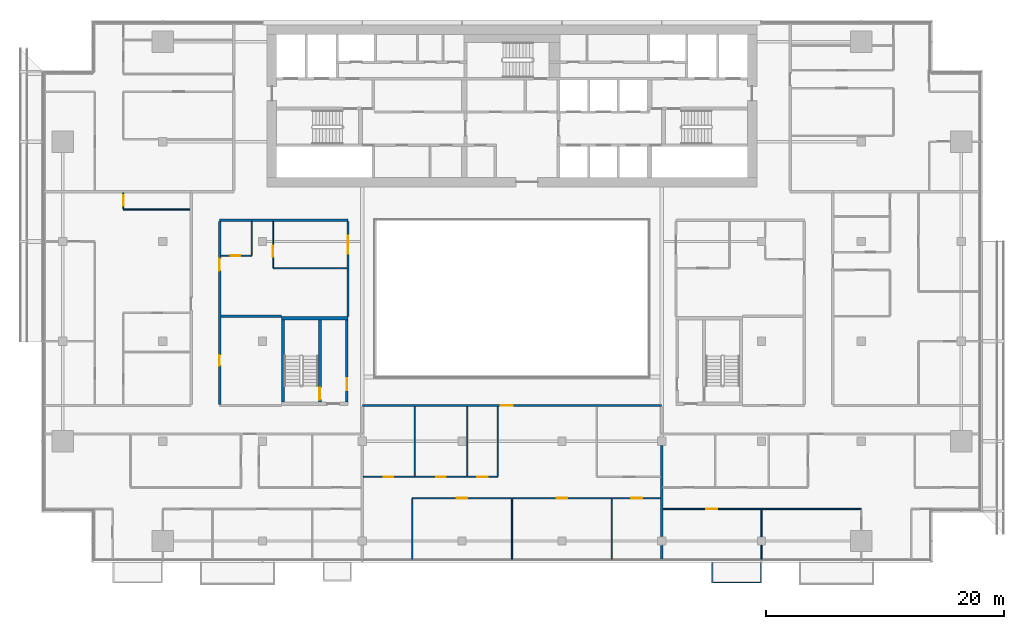
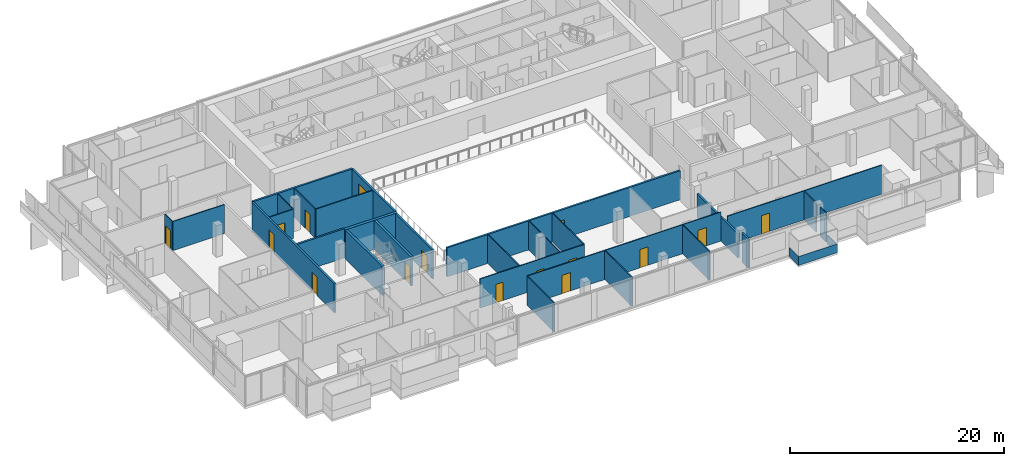
# One storey, part 19 of 29: 29 walls, 15 doors, 1 window, 16 openings.
"""IFC4 building model written with IfcOpenShell, lengths in metres."""

from ifc_helpers import new_model, si_unit, direction, frame, frame_2d, origin, place, context, subcontext, project, spatial, polyline, rectangle, outline, extrude, material, layer, layer_set, type_object, element, fill, save


model = new_model("IFC4")

# Units and contexts
model_context = context("Model", 3, precision=1e-05, world=origin(), true_north=direction((0.0, 1.0)))
body_context = subcontext(model_context, "Body", "Model", "MODEL_VIEW")
ifc_project = project(units=[si_unit("LENGTHUNIT", "METRE"), si_unit("AREAUNIT", "SQUARE_METRE"), si_unit("VOLUMEUNIT", "CUBIC_METRE"), si_unit("PLANEANGLEUNIT", "RADIAN"), si_unit("MASSUNIT", "GRAM", prefix="KILO")], contexts=[model_context])

# Site, building, storey
site_placement = place(None, origin())
site = spatial("IfcSite", under=ifc_project, at=site_placement, CompositionType="ELEMENT")
building_placement = place(site_placement, origin())
building = spatial("IfcBuilding", under=site, at=building_placement, Name="Saffron Gate Tower", CompositionType="ELEMENT")
storey_placement = place(building_placement, frame((0.0, 0.0, 161.85009765625)))
storey = spatial("IfcBuildingStorey", under=building, at=storey_placement, Name="L39", CompositionType="ELEMENT", Elevation=161.85009765625)

# Wall, opening, door
ifc_material_1 = material(Name="Gypsum board partition on steel studs", Category="steel")
ifc_layer_1 = layer(ifc_material_1, 0.199951171875)
ifc_layer_set_1 = layer_set([ifc_layer_1], Name="CW10 Core partition 200")
wall_type_1 = type_object("IfcWallType", Name="CW10 Core partition 200", PredefinedType="PARTITIONING", material=ifc_layer_set_1)
wall_1_placement = place(storey_placement, frame((73.699951171875, 43.5, 0.0), z_axis=(0.0, 0.0, 1.0), x_axis=(0.0, 1.0, 0.0)))
wall_1 = element("IfcWall", 1, at=wall_1_placement, inside=storey, type_object=wall_type_1, Name="Wall CW10-L39-D-4", PredefinedType="PARTITIONING", context=body_context, shape_type="SweptSolid", body=[
    extrude(rectangle(XDim=6.89990234375, YDim=0.199951171875, at=frame_2d((3.449951171875, 0.0))), origin(), (0.0, 0.0, 1.0), 3.31982421875),
])
opening_1_placement = place(wall_1_placement, frame((1.0, 0.0, 0.0)))
opening_1 = element("IfcOpeningElement", 2, at=opening_1_placement, cuts=wall_1, Name="Opening CR-19", PredefinedType="OPENING", context=body_context, shape_type="SweptSolid", body=[
    extrude(rectangle(XDim=1.0, YDim=2.10009765625, at=frame_2d((0.5, 1.050048828125))), frame((0.0, 0.10986328125, 0.0), z_axis=(0.0, -1.0, 0.0), x_axis=(1.0, 0.0, 0.0)), (0.0, 0.0, 1.0), 0.219970703125),
])
ifc_material_2 = material(Name="Steel fire door set", Category="steel")
door_type_1 = type_object("IfcDoorType", Name="CD4 Lobby door 1000x2100 EI 120", OperationType="NOTDEFINED", PredefinedType="DOOR", material=ifc_material_2)
door_1_placement = place(opening_1_placement, origin())
door_1 = element("IfcDoor", 3, at=door_1_placement, inside=storey, type_object=door_type_1, Name="DOOR CR-19", OperationType="SINGLE_SWING_RIGHT", OverallHeight=2.10009765625, OverallWidth=1.0, PredefinedType="DOOR", context=body_context, shape_type="SweptSolid", body=[
    extrude(rectangle(XDim=1.0, YDim=2.10009765625, at=frame_2d((0.5, 1.050048828125))), frame((0.0, 0.02490234375, 0.0), z_axis=(0.0, -1.0, 0.0), x_axis=(1.0, 0.0, 0.0)), (0.0, 0.0, 1.0), 0.050048828125),
])
fill(opening_1, door_1)

# Wall
ifc_material_3 = material(Name="Concrete C60", Category="concrete")
ifc_layer_2 = layer(ifc_material_3, 0.25)
ifc_layer_set_2 = layer_set([ifc_layer_2], Name="CW14 RC core wall 250 C60")
wall_type_2 = type_object("IfcWallType", Name="CW14 RC core wall 250 C60", PredefinedType="SOLIDWALL", material=ifc_layer_set_2)
wall_2_placement = place(storey_placement, frame((68.324951171875, 43.5, 0.0), z_axis=(0.0, 0.0, 1.0), x_axis=(0.0, 1.0, 0.0)))
element("IfcWall", 4, at=wall_2_placement, inside=storey, type_object=wall_type_2, Name="Wall CW14-L39-D-2", PredefinedType="SOLIDWALL", context=body_context, shape_type="SweptSolid", body=[
    extrude(rectangle(XDim=6.89990234375, YDim=0.25, at=frame_2d((3.449951171875, 0.0))), origin(), (0.0, 0.0, 1.0), 3.31982421875),
])

# Wall, opening, door
wall_3_placement = place(storey_placement, frame((71.425048828125, 43.5, 0.0), z_axis=(0.0, 0.0, 1.0), x_axis=(0.0, 1.0, 0.0)))
wall_3 = element("IfcWall", 5, at=wall_3_placement, inside=storey, type_object=wall_type_2, Name="Wall CW14-L39-D-3", PredefinedType="SOLIDWALL", context=body_context, shape_type="SweptSolid", body=[
    extrude(rectangle(XDim=6.89990234375, YDim=0.25, at=frame_2d((3.449951171875, 0.0))), origin(), (0.0, 0.0, 1.0), 3.31982421875),
])
opening_2_placement = place(wall_3_placement, frame((0.199951171875, 0.0, 0.0)))
opening_2 = element("IfcOpeningElement", 6, at=opening_2_placement, cuts=wall_3, Name="Opening CR-20", PredefinedType="OPENING", context=body_context, shape_type="SweptSolid", body=[
    extrude(rectangle(XDim=1.0, YDim=2.10009765625, at=frame_2d((0.5, 1.050048828125))), frame((0.0, 0.135009765625, 0.0), z_axis=(0.0, -1.0, 0.0), x_axis=(1.0, 0.0, 0.0)), (0.0, 0.0, 1.0), 0.27001953125),
])
door_type_2 = type_object("IfcDoorType", Name="CD5 Stair door 1000x2100 EI 120", OperationType="NOTDEFINED", PredefinedType="DOOR", material=ifc_material_2)
door_2_placement = place(opening_2_placement, origin())
door_2 = element("IfcDoor", 7, at=door_2_placement, inside=storey, type_object=door_type_2, Name="DOOR CR-20", OperationType="SINGLE_SWING_LEFT", OverallHeight=2.10009765625, OverallWidth=1.0, PredefinedType="DOOR", context=body_context, shape_type="SweptSolid", body=[
    extrude(rectangle(XDim=1.0, YDim=2.10009765625, at=frame_2d((0.5, 1.050048828125))), frame((0.0, 0.02490234375, 0.0), z_axis=(0.0, -1.0, 0.0), x_axis=(1.0, 0.0, 0.0)), (0.0, 0.0, 1.0), 0.050048828125),
])
fill(opening_2, door_2)

# Wall
ifc_layer_3 = layer(ifc_material_3, 0.300048828125)
ifc_layer_set_3 = layer_set([ifc_layer_3], Name="CW17 RC core wall 300 C60")
wall_type_3 = type_object("IfcWallType", Name="CW17 RC core wall 300 C60", PredefinedType="SOLIDWALL", material=ifc_layer_set_3)
wall_4_placement = place(storey_placement, frame((68.199951171875, 50.550048828125, 0.0), z_axis=(0.0, 0.0, 1.0), x_axis=(1.0, 0.0, 0.0)))
element("IfcWall", 8, at=wall_4_placement, inside=storey, type_object=wall_type_3, Name="Wall CW17-L39-D-5", PredefinedType="SOLIDWALL", context=body_context, shape_type="SweptSolid", body=[
    extrude(rectangle(XDim=5.60009765625, YDim=0.300048828125, at=frame_2d((2.800048828125, 0.0))), origin(), (0.0, 0.0, 1.0), 3.31982421875),
])

# Wall, opening, door
ifc_material_4 = material(Name="Plasterboard on steel studs", Category="steel")
ifc_layer_4 = layer(ifc_material_4, 0.10009765625)
ifc_layer_set_4 = layer_set([ifc_layer_4], Name="PW1 Partition 100")
wall_type_4 = type_object("IfcWallType", Name="PW1 Partition 100", PredefinedType="PARTITIONING", material=ifc_layer_set_4)
wall_5_placement = place(storey_placement, frame((117.0, 34.5, 0.0), z_axis=(0.0, 0.0, 1.0), x_axis=(-1.0, 0.0, 0.0)))
wall_5 = element("IfcWall", 9, at=wall_5_placement, inside=storey, type_object=wall_type_4, Name="Partition C2-3", PredefinedType="PARTITIONING", context=body_context, shape_type="SweptSolid", body=[
    extrude(rectangle(XDim=16.699951171875, YDim=0.10009765625, at=frame_2d((8.35009765625, 0.0))), origin(), (0.0, 0.0, 1.0), 3.31982421875),
])
opening_3_placement = place(wall_5_placement, frame((12.14990234375, 0.0, 0.0)))
opening_3 = element("IfcOpeningElement", 10, at=opening_3_placement, cuts=wall_5, Name="Opening C2-20", PredefinedType="OPENING", context=body_context, shape_type="SweptSolid", body=[
    extrude(rectangle(XDim=0.89990234375, YDim=2.10009765625, at=frame_2d((0.449951171875, 1.050048828125))), frame((0.0, 0.06005859375, 0.0), z_axis=(0.0, -1.0, 0.0), x_axis=(1.0, 0.0, 0.0)), (0.0, 0.0, 1.0), 0.1201171875),
])
ifc_material_5 = material(Name="Timber door set", Category="wood")
door_type_3 = type_object("IfcDoorType", Name="RD1 Room door 900x2100", OperationType="NOTDEFINED", PredefinedType="DOOR", material=ifc_material_5)
door_3_placement = place(opening_3_placement, origin())
door_3 = element("IfcDoor", 11, at=door_3_placement, inside=storey, type_object=door_type_3, Name="Door C2-20", OperationType="SINGLE_SWING_RIGHT", OverallHeight=2.10009765625, OverallWidth=0.89990234375, PredefinedType="DOOR", context=body_context, shape_type="SweptSolid", body=[
    extrude(rectangle(XDim=0.89990234375, YDim=2.10009765625, at=frame_2d((0.449951171875, 1.050048828125))), frame((0.0, 0.02490234375, 0.0), z_axis=(0.0, -1.0, 0.0), x_axis=(1.0, 0.0, 0.0)), (0.0, 0.0, 1.0), 0.050048828125),
])
fill(opening_3, door_3)

# Wall, openings, doors
wall_6_placement = place(storey_placement, frame((100.10009765625, 35.39990234375, 0.0), z_axis=(0.0, 0.0, 1.0), x_axis=(-1.0, 0.0, 0.0)))
wall_6 = element("IfcWall", 12, at=wall_6_placement, inside=storey, type_object=wall_type_4, Name="Partition C2-5", PredefinedType="PARTITIONING", context=body_context, shape_type="SweptSolid", body=[
    extrude(rectangle(XDim=20.900146484375, YDim=0.10009765625, at=frame_2d((10.4501953125, 0.0))), origin(), (0.0, 0.0, 1.0), 3.31982421875),
])
opening_4_placement = place(wall_6_placement, frame((1.550048828125, 0.0, 0.0)))
opening_4 = element("IfcOpeningElement", 13, at=opening_4_placement, cuts=wall_6, Name="Opening C2-17", PredefinedType="OPENING", context=body_context, shape_type="SweptSolid", body=[
    extrude(rectangle(XDim=0.89990234375, YDim=2.10009765625, at=frame_2d((0.449951171875, 1.050048828125))), frame((0.0, 0.06005859375, 0.0), z_axis=(0.0, -1.0, 0.0), x_axis=(1.0, 0.0, 0.0)), (0.0, 0.0, 1.0), 0.1201171875),
])
opening_5_placement = place(wall_6_placement, frame((7.85009765625, 0.0, 0.0)))
opening_5 = element("IfcOpeningElement", 14, at=opening_5_placement, cuts=wall_6, Name="Opening C2-16", PredefinedType="OPENING", context=body_context, shape_type="SweptSolid", body=[
    extrude(rectangle(XDim=0.89990234375, YDim=2.10009765625, at=frame_2d((0.449951171875, 1.050048828125))), frame((0.0, 0.06005859375, 0.0), z_axis=(0.0, -1.0, 0.0), x_axis=(1.0, 0.0, 0.0)), (0.0, 0.0, 1.0), 0.1201171875),
])
opening_6_placement = place(wall_6_placement, frame((16.25, 0.0, 0.0)))
opening_6 = element("IfcOpeningElement", 15, at=opening_6_placement, cuts=wall_6, Name="Opening C2-15", PredefinedType="OPENING", context=body_context, shape_type="SweptSolid", body=[
    extrude(rectangle(XDim=0.89990234375, YDim=2.10009765625, at=frame_2d((0.449951171875, 1.050048828125))), frame((0.0, 0.06005859375, 0.0), z_axis=(0.0, -1.0, 0.0), x_axis=(1.0, 0.0, 0.0)), (0.0, 0.0, 1.0), 0.1201171875),
])
door_4_placement = place(opening_4_placement, origin())
door_4 = element("IfcDoor", 16, at=door_4_placement, inside=storey, type_object=door_type_3, Name="Door C2-17", OperationType="SINGLE_SWING_LEFT", OverallHeight=2.10009765625, OverallWidth=0.89990234375, PredefinedType="DOOR", context=body_context, shape_type="SweptSolid", body=[
    extrude(rectangle(XDim=0.89990234375, YDim=2.10009765625, at=frame_2d((0.449951171875, 1.050048828125))), frame((0.0, 0.02490234375, 0.0), z_axis=(0.0, -1.0, 0.0), x_axis=(1.0, 0.0, 0.0)), (0.0, 0.0, 1.0), 0.050048828125),
])
fill(opening_4, door_4)
door_5_placement = place(opening_5_placement, origin())
door_5 = element("IfcDoor", 17, at=door_5_placement, inside=storey, type_object=door_type_3, Name="Door C2-16", OperationType="SINGLE_SWING_RIGHT", OverallHeight=2.10009765625, OverallWidth=0.89990234375, PredefinedType="DOOR", context=body_context, shape_type="SweptSolid", body=[
    extrude(rectangle(XDim=0.89990234375, YDim=2.10009765625, at=frame_2d((0.449951171875, 1.050048828125))), frame((0.0, 0.02490234375, 0.0), z_axis=(0.0, -1.0, 0.0), x_axis=(1.0, 0.0, 0.0)), (0.0, 0.0, 1.0), 0.050048828125),
])
fill(opening_5, door_5)
door_6_placement = place(opening_6_placement, origin())
door_6 = element("IfcDoor", 18, at=door_6_placement, inside=storey, type_object=door_type_3, Name="Door C2-15", OperationType="SINGLE_SWING_LEFT", OverallHeight=2.10009765625, OverallWidth=0.89990234375, PredefinedType="DOOR", context=body_context, shape_type="SweptSolid", body=[
    extrude(rectangle(XDim=0.89990234375, YDim=2.10009765625, at=frame_2d((0.449951171875, 1.050048828125))), frame((0.0, 0.02490234375, 0.0), z_axis=(0.0, -1.0, 0.0), x_axis=(1.0, 0.0, 0.0)), (0.0, 0.0, 1.0), 0.050048828125),
])
fill(opening_6, door_6)

wall_7_placement = place(storey_placement, frame((75.10009765625, 37.199951171875, 0.0), z_axis=(0.0, 0.0, 1.0), x_axis=(1.0, 0.0, 0.0)))
wall_7 = element("IfcWall", 19, at=wall_7_placement, inside=storey, type_object=wall_type_4, Name="Partition C2-10", PredefinedType="PARTITIONING", context=body_context, shape_type="SweptSolid", body=[
    extrude(rectangle(XDim=11.2998046875, YDim=0.10009765625, at=frame_2d((5.64990234375, 0.0))), origin(), (0.0, 0.0, 1.0), 3.31982421875),
])
opening_7_placement = place(wall_7_placement, frame((1.708251953125, 0.0, 0.0)))
opening_7 = element("IfcOpeningElement", 20, at=opening_7_placement, cuts=wall_7, Name="Opening C2-41", PredefinedType="OPENING", context=body_context, shape_type="SweptSolid", body=[
    extrude(rectangle(XDim=0.800048828125, YDim=2.10009765625, at=frame_2d((0.39990234375, 1.050048828125))), frame((0.0, 0.06005859375, 0.0), z_axis=(0.0, -1.0, 0.0), x_axis=(1.0, 0.0, 0.0)), (0.0, 0.0, 1.0), 0.1201171875),
])
opening_8_placement = place(wall_7_placement, frame((6.125, 0.0, 0.0)))
opening_8 = element("IfcOpeningElement", 21, at=opening_8_placement, cuts=wall_7, Name="Opening C2-42", PredefinedType="OPENING", context=body_context, shape_type="SweptSolid", body=[
    extrude(rectangle(XDim=0.800048828125, YDim=2.10009765625, at=frame_2d((0.39990234375, 1.050048828125))), frame((0.0, 0.06005859375, 0.0), z_axis=(0.0, -1.0, 0.0), x_axis=(1.0, 0.0, 0.0)), (0.0, 0.0, 1.0), 0.1201171875),
])
opening_9_placement = place(wall_7_placement, frame((9.566650390625, 0.0, 0.0)))
opening_9 = element("IfcOpeningElement", 22, at=opening_9_placement, cuts=wall_7, Name="Opening C2-19", PredefinedType="OPENING", context=body_context, shape_type="SweptSolid", body=[
    extrude(rectangle(XDim=0.89990234375, YDim=2.10009765625, at=frame_2d((0.449951171875, 1.050048828125))), frame((0.0, 0.06005859375, 0.0), z_axis=(0.0, -1.0, 0.0), x_axis=(1.0, 0.0, 0.0)), (0.0, 0.0, 1.0), 0.1201171875),
])
door_7_placement = place(opening_9_placement, origin())
door_7 = element("IfcDoor", 23, at=door_7_placement, inside=storey, type_object=door_type_3, Name="Door C2-19", OperationType="SINGLE_SWING_LEFT", OverallHeight=2.10009765625, OverallWidth=0.89990234375, PredefinedType="DOOR", context=body_context, shape_type="SweptSolid", body=[
    extrude(rectangle(XDim=0.89990234375, YDim=2.10009765625, at=frame_2d((0.449951171875, 1.050048828125))), frame((0.0, 0.02490234375, 0.0), z_axis=(0.0, -1.0, 0.0), x_axis=(1.0, 0.0, 0.0)), (0.0, 0.0, 1.0), 0.050048828125),
])
fill(opening_9, door_7)
door_type_4 = type_object("IfcDoorType", Name="RD2 Bathroom door 800x2100", OperationType="NOTDEFINED", PredefinedType="DOOR", material=ifc_material_5)
door_8_placement = place(opening_7_placement, origin())
door_8 = element("IfcDoor", 24, at=door_8_placement, inside=storey, type_object=door_type_4, Name="Door C2-41", OperationType="SINGLE_SWING_LEFT", OverallHeight=2.10009765625, OverallWidth=0.800048828125, PredefinedType="DOOR", context=body_context, shape_type="SweptSolid", body=[
    extrude(rectangle(XDim=0.800048828125, YDim=2.10009765625, at=frame_2d((0.39990234375, 1.050048828125))), frame((0.0, 0.02490234375, 0.0), z_axis=(0.0, -1.0, 0.0), x_axis=(1.0, 0.0, 0.0)), (0.0, 0.0, 1.0), 0.050048828125),
])
fill(opening_7, door_8)
door_9_placement = place(opening_8_placement, origin())
door_9 = element("IfcDoor", 25, at=door_9_placement, inside=storey, type_object=door_type_4, Name="Door C2-42", OperationType="SINGLE_SWING_LEFT", OverallHeight=2.10009765625, OverallWidth=0.800048828125, PredefinedType="DOOR", context=body_context, shape_type="SweptSolid", body=[
    extrude(rectangle(XDim=0.800048828125, YDim=2.10009765625, at=frame_2d((0.39990234375, 1.050048828125))), frame((0.0, 0.02490234375, 0.0), z_axis=(0.0, -1.0, 0.0), x_axis=(1.0, 0.0, 0.0)), (0.0, 0.0, 1.0), 0.050048828125),
])
fill(opening_8, door_9)

# Wall
wall_8_placement = place(storey_placement, frame((67.5, 54.75, 0.0), z_axis=(0.0, 0.0, 1.0), x_axis=(1.0, 0.0, 0.0)))
element("IfcWall", 26, at=wall_8_placement, inside=storey, type_object=wall_type_4, Name="Partition C2-32", PredefinedType="PARTITIONING", context=body_context, shape_type="SweptSolid", body=[
    extrude(rectangle(XDim=6.199951171875, YDim=0.10009765625, at=frame_2d((3.10009765625, 0.0))), origin(), (0.0, 0.0, 1.0), 3.31982421875),
])

# Wall, opening, door
wall_9_placement = place(storey_placement, frame((63.10009765625, 55.800048828125, 0.0), z_axis=(0.0, 0.0, 1.0), x_axis=(1.0, 0.0, 0.0)))
wall_9 = element("IfcWall", 27, at=wall_9_placement, inside=storey, type_object=wall_type_4, Name="Partition C2-35", PredefinedType="PARTITIONING", context=body_context, shape_type="SweptSolid", body=[
    extrude(rectangle(XDim=2.599853515625, YDim=0.10009765625, at=frame_2d((1.2998046875, 0.0))), origin(), (0.0, 0.0, 1.0), 3.31982421875),
])
opening_10_placement = place(wall_9_placement, frame((0.85009765625, 0.0, 0.0)))
opening_10 = element("IfcOpeningElement", 28, at=opening_10_placement, cuts=wall_9, Name="Opening C2-52", PredefinedType="OPENING", context=body_context, shape_type="SweptSolid", body=[
    extrude(rectangle(XDim=0.800048828125, YDim=2.10009765625, at=frame_2d((0.39990234375, 1.050048828125))), frame((0.0, 0.06005859375, 0.0), z_axis=(0.0, -1.0, 0.0), x_axis=(1.0, 0.0, 0.0)), (0.0, 0.0, 1.0), 0.1201171875),
])
door_10_placement = place(opening_10_placement, origin())
door_10 = element("IfcDoor", 29, at=door_10_placement, inside=storey, type_object=door_type_4, Name="Door C2-52", OperationType="SINGLE_SWING_LEFT", OverallHeight=2.10009765625, OverallWidth=0.800048828125, PredefinedType="DOOR", context=body_context, shape_type="SweptSolid", body=[
    extrude(rectangle(XDim=0.800048828125, YDim=2.10009765625, at=frame_2d((0.39990234375, 1.050048828125))), frame((0.0, 0.02490234375, 0.0), z_axis=(0.0, -1.0, 0.0), x_axis=(1.0, 0.0, 0.0)), (0.0, 0.0, 1.0), 0.050048828125),
])
fill(opening_10, door_10)

# Wall
wall_10_placement = place(storey_placement, frame((54.89990234375, 59.693115234375, 0.0), z_axis=(0.0, 0.0, 1.0), x_axis=(1.0, 0.0, 0.0)))
element("IfcWall", 30, at=wall_10_placement, inside=storey, type_object=wall_type_4, Name="Partition C2-42", PredefinedType="PARTITIONING", context=body_context, shape_type="SweptSolid", body=[
    extrude(rectangle(XDim=5.60009765625, YDim=0.10009765625, at=frame_2d((2.800048828125, 0.0))), origin(), (0.0, 0.0, 1.0), 3.31982421875),
])

# Wall, opening, door
wall_11_placement = place(storey_placement, frame((54.89990234375, 61.10009765625, 0.0), z_axis=(0.0, 0.0, 1.0), x_axis=(0.0, -1.0, 0.0)))
wall_11 = element("IfcWall", 31, at=wall_11_placement, inside=storey, type_object=wall_type_4, Name="Partition C2-66", PredefinedType="PARTITIONING", context=body_context, shape_type="SweptSolid", body=[
    extrude(rectangle(XDim=1.357177734375, YDim=0.10009765625, at=frame_2d((0.6787109375, 0.0))), origin(), (0.0, 0.0, 1.0), 3.31982421875),
])
opening_11_placement = place(wall_11_placement, frame((0.20361328125, 0.0, 0.0)))
opening_11 = element("IfcOpeningElement", 32, at=opening_11_placement, cuts=wall_11, Name="Opening C2-27", PredefinedType="OPENING", context=body_context, shape_type="SweptSolid", body=[
    extrude(rectangle(XDim=0.89990234375, YDim=2.10009765625, at=frame_2d((0.449951171875, 1.050048828125))), frame((0.0, 0.06005859375, 0.0), z_axis=(0.0, -1.0, 0.0), x_axis=(1.0, 0.0, 0.0)), (0.0, 0.0, 1.0), 0.1201171875),
])
door_11_placement = place(opening_11_placement, origin())
door_11 = element("IfcDoor", 33, at=door_11_placement, inside=storey, type_object=door_type_3, Name="Door C2-27", OperationType="SINGLE_SWING_LEFT", OverallHeight=2.10009765625, OverallWidth=0.89990234375, PredefinedType="DOOR", context=body_context, shape_type="SweptSolid", body=[
    extrude(rectangle(XDim=0.89990234375, YDim=2.10009765625, at=frame_2d((0.449951171875, 1.050048828125))), frame((0.0, 0.02490234375, 0.0), z_axis=(0.0, -1.0, 0.0), x_axis=(1.0, 0.0, 0.0)), (0.0, 0.0, 1.0), 0.050048828125),
])
fill(opening_11, door_11)

# Wall
wall_12_placement = place(storey_placement, frame((65.699951171875, 58.699951171875, 0.0), z_axis=(0.0, 0.0, 1.0), x_axis=(0.0, -1.0, 0.0)))
element("IfcWall", 34, at=wall_12_placement, inside=storey, type_object=wall_type_4, Name="Partition C2-77", PredefinedType="PARTITIONING", context=body_context, shape_type="SweptSolid", body=[
    extrude(rectangle(XDim=2.849853515625, YDim=0.10009765625, at=frame_2d((1.4248046875, 0.0))), origin(), (0.0, 0.0, 1.0), 3.31982421875),
])

# Wall, opening, door
wall_13_placement = place(storey_placement, frame((67.5, 58.699951171875, 0.0), z_axis=(0.0, 0.0, 1.0), x_axis=(0.0, -1.0, 0.0)))
wall_13 = element("IfcWall", 35, at=wall_13_placement, inside=storey, type_object=wall_type_4, Name="Partition C2-79", PredefinedType="PARTITIONING", context=body_context, shape_type="SweptSolid", body=[
    extrude(rectangle(XDim=3.89990234375, YDim=0.10009765625, at=frame_2d((1.949951171875, 0.0))), origin(), (0.0, 0.0, 1.0), 3.31982421875),
])
opening_12_placement = place(wall_13_placement, frame((2.074951171875, 0.0, 0.0)))
opening_12 = element("IfcOpeningElement", 36, at=opening_12_placement, cuts=wall_13, Name="Opening C2-37", PredefinedType="OPENING", context=body_context, shape_type="SweptSolid", body=[
    extrude(rectangle(XDim=0.89990234375, YDim=2.10009765625, at=frame_2d((0.449951171875, 1.050048828125))), frame((0.0, 0.06005859375, 0.0), z_axis=(0.0, -1.0, 0.0), x_axis=(1.0, 0.0, 0.0)), (0.0, 0.0, 1.0), 0.1201171875),
])
door_12_placement = place(opening_12_placement, origin())
door_12 = element("IfcDoor", 37, at=door_12_placement, inside=storey, type_object=door_type_3, Name="Door C2-37", OperationType="SINGLE_SWING_RIGHT", OverallHeight=2.10009765625, OverallWidth=0.89990234375, PredefinedType="DOOR", context=body_context, shape_type="SweptSolid", body=[
    extrude(rectangle(XDim=0.89990234375, YDim=2.10009765625, at=frame_2d((0.449951171875, 1.050048828125))), frame((0.0, 0.02490234375, 0.0), z_axis=(0.0, -1.0, 0.0), x_axis=(1.0, 0.0, 0.0)), (0.0, 0.0, 1.0), 0.050048828125),
])
fill(opening_12, door_12)

# Walls
wall_14_placement = place(storey_placement, frame((79.199951171875, 35.35009765625, 0.0), z_axis=(0.0, 0.0, 1.0), x_axis=(0.0, -1.0, 0.0)))
element("IfcWall", 38, at=wall_14_placement, inside=storey, type_object=wall_type_4, Name="Partition C2-86", PredefinedType="PARTITIONING", context=body_context, shape_type="SweptSolid", body=[
    extrude(rectangle(XDim=5.070068359375, YDim=0.10009765625, at=frame_2d((2.53515625, 0.0))), origin(), (0.0, 0.0, 1.0), 3.31982421875),
])
for number, where, z_axis, x_axis, name in (
    (39, (79.416748046875, 43.10009765625, 0.0), (0.0, 0.0, 1.0), (0.0, -1.0, 0.0), "Partition C2-87"),
    (40, (83.833251953125, 43.10009765625, 0.0), (0.0, 0.0, 1.0), (0.0, -1.0, 0.0), "Partition C2-88"),
    (41, (86.39990234375, 43.10009765625, 0.0), (0.0, 0.0, 1.0), (0.0, -1.0, 0.0), "Partition C2-89"),
):
    element("IfcWall", number, at=place(storey_placement, frame(where, z_axis=z_axis, x_axis=x_axis)), inside=storey, type_object=wall_type_4, Name=name, PredefinedType="PARTITIONING", context=body_context, shape_type="SweptSolid", body=[
        extrude(rectangle(XDim=5.85009765625, YDim=0.10009765625, at=frame_2d((2.925048828125, 0.0))), origin(), (0.0, 0.0, 1.0), 3.31982421875),
    ])
for number, where, z_axis, x_axis, name in (
    (42, (87.60009765625, 35.35009765625, 0.0), (0.0, 0.0, 1.0), (0.0, -1.0, 0.0), "Partition C2-90"),
    (43, (96.0, 35.35009765625, 0.0), (0.0, 0.0, 1.0), (0.0, -1.0, 0.0), "Partition C2-92"),
):
    element("IfcWall", number, at=place(storey_placement, frame(where, z_axis=z_axis, x_axis=x_axis)), inside=storey, type_object=wall_type_4, Name=name, PredefinedType="PARTITIONING", context=body_context, shape_type="SweptSolid", body=[
        extrude(rectangle(XDim=5.070068359375, YDim=0.10009765625, at=frame_2d((2.53515625, 0.0))), origin(), (0.0, 0.0, 1.0), 3.31982421875),
    ])
wall_15_placement = place(storey_placement, frame((108.60009765625, 31.429931640625, 0.0), z_axis=(0.0, 0.0, 1.0), x_axis=(0.0, -1.0, 0.0)))
element("IfcWall", 44, at=wall_15_placement, inside=storey, type_object=wall_type_4, Name="Partition C2-99", PredefinedType="PARTITIONING", context=body_context, shape_type="SweptSolid", body=[
    extrude(rectangle(XDim=1.14990234375, YDim=0.10009765625, at=frame_2d((0.574951171875, 0.0))), origin(), (0.0, 0.0, 1.0), 3.31982421875),
])
wall_16_placement = place(storey_placement, frame((108.60009765625, 34.449951171875, 0.0), z_axis=(0.0, 0.0, 1.0), x_axis=(0.0, -1.0, 0.0)))
element("IfcWall", 45, at=wall_16_placement, inside=storey, type_object=wall_type_4, Name="Partition C2-100", PredefinedType="PARTITIONING", context=body_context, shape_type="SweptSolid", body=[
    extrude(rectangle(XDim=2.280029296875, YDim=0.10009765625, at=frame_2d((1.14013671875, 0.0))), origin(), (0.0, 0.0, 1.0), 3.31982421875),
])
ifc_material_6 = material(Name="Clay brick masonry, rendered", Category="masonry")
ifc_layer_5 = layer(ifc_material_6, 0.199951171875)
ifc_layer_set_5 = layer_set([ifc_layer_5], Name="PW2 Demising wall 200")
wall_type_5 = type_object("IfcWallType", Name="PW2 Demising wall 200", PredefinedType="PARTITIONING", material=ifc_layer_set_5)
wall_17_placement = place(storey_placement, frame((63.10009765625, 50.699951171875, 0.0), z_axis=(0.0, 0.0, 1.0), x_axis=(1.0, 0.0, 0.0)))
element("IfcWall", 46, at=wall_17_placement, inside=storey, type_object=wall_type_5, Name="Wall C2-26", PredefinedType="PARTITIONING", context=body_context, shape_type="SweptSolid", body=[
    extrude(rectangle(XDim=5.099853515625, YDim=0.199951171875, at=frame_2d((2.5498046875, 0.0))), origin(), (0.0, 0.0, 1.0), 3.31982421875),
])
wall_18_placement = place(storey_placement, frame((100.199951171875, 31.429931640625, 0.0), z_axis=(0.0, 0.0, 1.0), x_axis=(0.0, -1.0, 0.0)))
element("IfcWall", 47, at=wall_18_placement, inside=storey, type_object=wall_type_5, Name="Wall C2-94", PredefinedType="PARTITIONING", context=body_context, shape_type="SweptSolid", body=[
    extrude(rectangle(XDim=1.14990234375, YDim=0.199951171875, at=frame_2d((0.574951171875, 0.0))), origin(), (0.0, 0.0, 1.0), 3.31982421875),
])
wall_19_placement = place(storey_placement, frame((100.199951171875, 39.830078125, 0.0), z_axis=(0.0, 0.0, 1.0), x_axis=(0.0, -1.0, 0.0)))
element("IfcWall", 48, at=wall_19_placement, inside=storey, type_object=wall_type_5, Name="Wall C2-95", PredefinedType="PARTITIONING", context=body_context, shape_type="SweptSolid", body=[
    extrude(rectangle(XDim=7.66015625, YDim=0.199951171875, at=frame_2d((3.830078125, 0.0))), origin(), (0.0, 0.0, 1.0), 2.719970703125),
])

# Wall, opening, door
ifc_layer_6 = layer(ifc_material_6, 0.199951171875)
ifc_layer_set_6 = layer_set([ifc_layer_6], Name="PW3 Corridor wall 200")
wall_type_6 = type_object("IfcWallType", Name="PW3 Corridor wall 200", PredefinedType="PARTITIONING", material=ifc_layer_set_6)
wall_20_placement = place(storey_placement, frame((100.199951171875, 43.199951171875, 0.0), z_axis=(0.0, 0.0, 1.0), x_axis=(-1.0, 0.0, 0.0)))
wall_20 = element("IfcWall", 49, at=wall_20_placement, inside=storey, type_object=wall_type_6, Name="Wall C2-18", PredefinedType="PARTITIONING", context=body_context, shape_type="SweptSolid", body=[
    extrude(rectangle(XDim=25.199951171875, YDim=0.199951171875, at=frame_2d((12.60009765625, 0.0))), origin(), (0.0, 0.0, 1.0), 3.31982421875),
])
opening_13_placement = place(wall_20_placement, frame((12.550048828125, 0.0, 0.0)))
opening_13 = element("IfcOpeningElement", 50, at=opening_13_placement, cuts=wall_20, Name="Opening C2-2", PredefinedType="OPENING", context=body_context, shape_type="SweptSolid", body=[
    extrude(rectangle(XDim=1.0, YDim=2.10009765625, at=frame_2d((0.5, 1.050048828125))), frame((0.0, 0.10986328125, 0.0), z_axis=(0.0, -1.0, 0.0), x_axis=(1.0, 0.0, 0.0)), (0.0, 0.0, 1.0), 0.219970703125),
])
ifc_material_7 = material(Name="Timber fire door set", Category="wood")
door_type_5 = type_object("IfcDoorType", Name="FD1 Flat entry door 1000x2100", OperationType="NOTDEFINED", PredefinedType="DOOR", material=ifc_material_7)
door_13_placement = place(opening_13_placement, origin())
door_13 = element("IfcDoor", 51, at=door_13_placement, inside=storey, type_object=door_type_5, Name="Door C2-2", OperationType="SINGLE_SWING_RIGHT", OverallHeight=2.10009765625, OverallWidth=1.0, PredefinedType="DOOR", context=body_context, shape_type="SweptSolid", body=[
    extrude(rectangle(XDim=1.0, YDim=2.10009765625, at=frame_2d((0.5, 1.050048828125))), frame((0.0, 0.02490234375, 0.0), z_axis=(0.0, -1.0, 0.0), x_axis=(1.0, 0.0, 0.0)), (0.0, 0.0, 1.0), 0.050048828125),
])
fill(opening_13, door_13)

# Wall
wall_21_placement = place(storey_placement, frame((63.0, 58.800048828125, 0.0), z_axis=(0.0, 0.0, 1.0), x_axis=(1.0, 0.0, 0.0)))
element("IfcWall", 52, at=wall_21_placement, inside=storey, type_object=wall_type_6, Name="Wall C2-39", PredefinedType="PARTITIONING", context=body_context, shape_type="SweptSolid", body=[
    extrude(rectangle(XDim=10.800048828125, YDim=0.199951171875, at=frame_2d((5.39990234375, 0.0))), origin(), (0.0, 0.0, 1.0), 3.31982421875),
])

# Wall, openings, doors
wall_22_placement = place(storey_placement, frame((63.0, 58.699951171875, 0.0), z_axis=(0.0, 0.0, 1.0), x_axis=(0.0, -1.0, 0.0)))
wall_22 = element("IfcWall", 53, at=wall_22_placement, inside=storey, type_object=wall_type_6, Name="Wall C2-74", PredefinedType="PARTITIONING", context=body_context, shape_type="SweptSolid", body=[
    extrude(rectangle(XDim=15.39990234375, YDim=0.199951171875, at=frame_2d((7.699951171875, 0.0))), origin(), (0.0, 0.0, 1.0), 3.31982421875),
])
opening_14_placement = place(wall_22_placement, frame((3.14990234375, 0.0, 0.0)))
opening_14 = element("IfcOpeningElement", 54, at=opening_14_placement, cuts=wall_22, Name="Opening C2-8", PredefinedType="OPENING", context=body_context, shape_type="SweptSolid", body=[
    extrude(rectangle(XDim=1.0, YDim=2.10009765625, at=frame_2d((0.5, 1.050048828125))), frame((0.0, 0.10986328125, 0.0), z_axis=(0.0, -1.0, 0.0), x_axis=(1.0, 0.0, 0.0)), (0.0, 0.0, 1.0), 0.219970703125),
])
opening_15_placement = place(wall_22_placement, frame((11.25, 0.0, 0.0)))
opening_15 = element("IfcOpeningElement", 55, at=opening_15_placement, cuts=wall_22, Name="Opening C2-55", PredefinedType="OPENING", context=body_context, shape_type="SweptSolid", body=[
    extrude(rectangle(XDim=0.89990234375, YDim=2.10009765625, at=frame_2d((0.449951171875, 1.050048828125))), frame((0.0, 0.10986328125, 0.0), z_axis=(0.0, -1.0, 0.0), x_axis=(1.0, 0.0, 0.0)), (0.0, 0.0, 1.0), 0.219970703125),
])
door_14_placement = place(opening_14_placement, origin())
door_14 = element("IfcDoor", 56, at=door_14_placement, inside=storey, type_object=door_type_5, Name="Door C2-8", OperationType="SINGLE_SWING_LEFT", OverallHeight=2.10009765625, OverallWidth=1.0, PredefinedType="DOOR", context=body_context, shape_type="SweptSolid", body=[
    extrude(rectangle(XDim=1.0, YDim=2.10009765625, at=frame_2d((0.5, 1.050048828125))), frame((0.0, 0.02490234375, 0.0), z_axis=(0.0, -1.0, 0.0), x_axis=(1.0, 0.0, 0.0)), (0.0, 0.0, 1.0), 0.050048828125),
])
fill(opening_14, door_14)
door_type_6 = type_object("IfcDoorType", Name="SD1 Service door 900x2100", OperationType="NOTDEFINED", PredefinedType="DOOR", material=ifc_material_2)
door_15_placement = place(opening_15_placement, origin())
door_15 = element("IfcDoor", 57, at=door_15_placement, inside=storey, type_object=door_type_6, Name="Door C2-55", OperationType="SINGLE_SWING_RIGHT", OverallHeight=2.10009765625, OverallWidth=0.89990234375, PredefinedType="DOOR", context=body_context, shape_type="SweptSolid", body=[
    extrude(rectangle(XDim=0.89990234375, YDim=2.10009765625, at=frame_2d((0.449951171875, 1.050048828125))), frame((0.0, 0.02490234375, 0.0), z_axis=(0.0, -1.0, 0.0), x_axis=(1.0, 0.0, 0.0)), (0.0, 0.0, 1.0), 0.050048828125),
])
fill(opening_15, door_15)

# Wall, opening, window
wall_23_placement = place(storey_placement, frame((73.800048828125, 58.699951171875, 0.0), z_axis=(0.0, 0.0, 1.0), x_axis=(0.0, -1.0, 0.0)))
wall_23 = element("IfcWall", 58, at=wall_23_placement, inside=storey, type_object=wall_type_6, Name="Wall C2-82", PredefinedType="PARTITIONING", context=body_context, shape_type="SweptSolid", body=[
    extrude(rectangle(XDim=8.0, YDim=0.199951171875, at=frame_2d((4.0, 0.0))), origin(), (0.0, 0.0, 1.0), 3.31982421875),
])
opening_16_placement = place(wall_23_placement, frame((1.22509765625, 0.0, 0.89990234375)))
opening_16 = element("IfcOpeningElement", 59, at=opening_16_placement, cuts=wall_23, Name="Opening GW1", PredefinedType="OPENING", context=body_context, shape_type="SweptSolid", body=[
    extrude(rectangle(XDim=1.5, YDim=1.5, at=frame_2d((0.75, 0.75))), frame((0.0, 0.10986328125, 0.0), z_axis=(0.0, -1.0, 0.0), x_axis=(1.0, 0.0, 0.0)), (0.0, 0.0, 1.0), 0.219970703125),
])
ifc_material_8 = material(Name="Fire-resisting laminated glass in steel frame", Category="steel")
ifc_layer_7 = layer(ifc_material_8, 0.06005859375)
ifc_layer_set_7 = layer_set([ifc_layer_7], Name="GW1 Gallery window 1500x1500")
window_type = type_object("IfcWindowType", Name="GW1 Gallery window 1500x1500", PartitioningType="SINGLE_PANEL", PredefinedType="WINDOW", material=ifc_layer_set_7)
window_placement = place(opening_16_placement, origin())
window = element("IfcWindow", 60, at=window_placement, inside=storey, type_object=window_type, Name="GW1 window C2-H-B1", OverallHeight=1.5, OverallWidth=1.5, PartitioningType="SINGLE_PANEL", PredefinedType="WINDOW", context=body_context, shape_type="SweptSolid", body=[
    extrude(rectangle(XDim=1.5, YDim=1.5, at=frame_2d((0.75, 0.75))), frame((0.0, 0.030029296875, 0.0), z_axis=(0.0, -1.0, 0.0), x_axis=(1.0, 0.0, 0.0)), (0.0, 0.0, 1.0), 0.06005859375),
])
fill(opening_16, window)

# Wall
ifc_material_9 = material(Name="Rendered insulated panel, white")
ifc_layer_8 = layer(ifc_material_9, 0.10009765625)
ifc_layer_set_8 = layer_set([ifc_layer_8], Name="WB3 box parapet white")
wall_type_7 = type_object("IfcWallType", Name="WB3 box parapet white", PredefinedType="SOLIDWALL", material=ifc_layer_set_8)
wall_24_placement = place(storey_placement, origin())
element("IfcWall", 61, at=wall_24_placement, inside=storey, type_object=wall_type_7, Name="WINDOW BOX parapet", PredefinedType="SOLIDWALL", context=body_context, shape_type="SweptSolid", body=[
    extrude(outline(polyline([(104.39990234375, 30.0), (104.5, 30.0), (104.5, 28.366943359375), (108.5, 28.366943359375), (108.5, 30.0), (108.60009765625, 30.0), (108.60009765625, 28.26708984375), (104.39990234375, 28.26708984375), (104.39990234375, 30.0)])), origin(), (0.0, 0.0, 1.0), 1.0),
])

save(model, "model.ifc")
